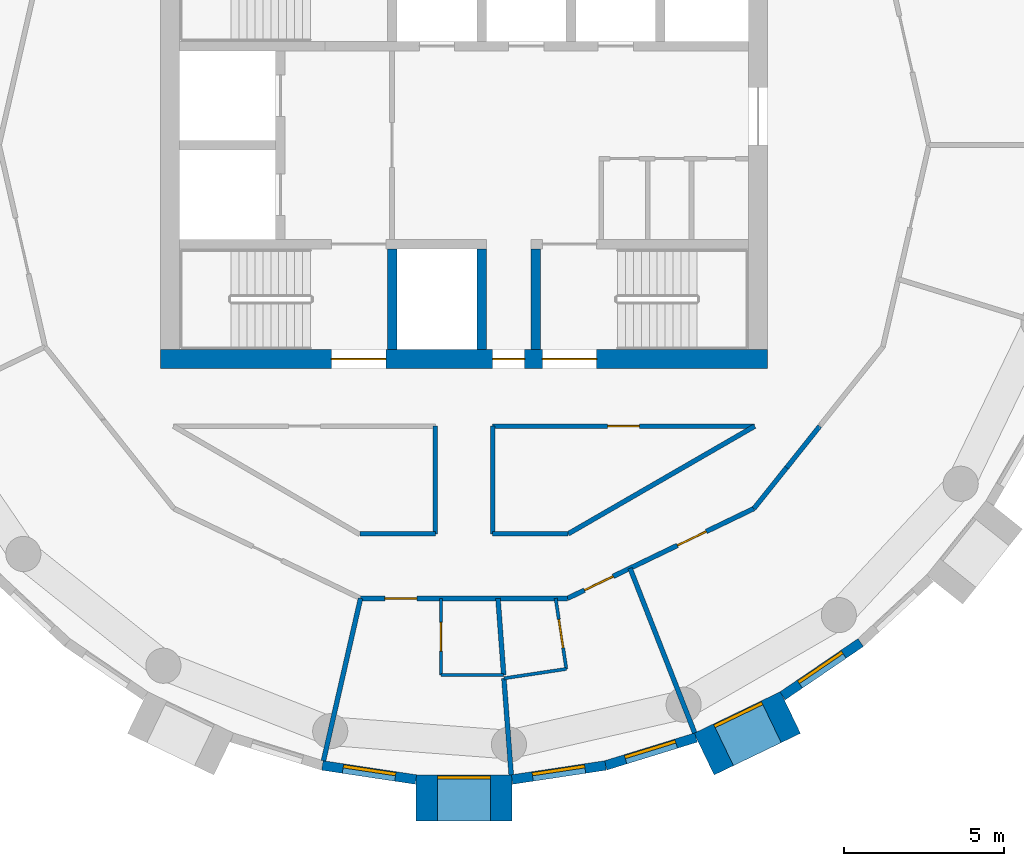
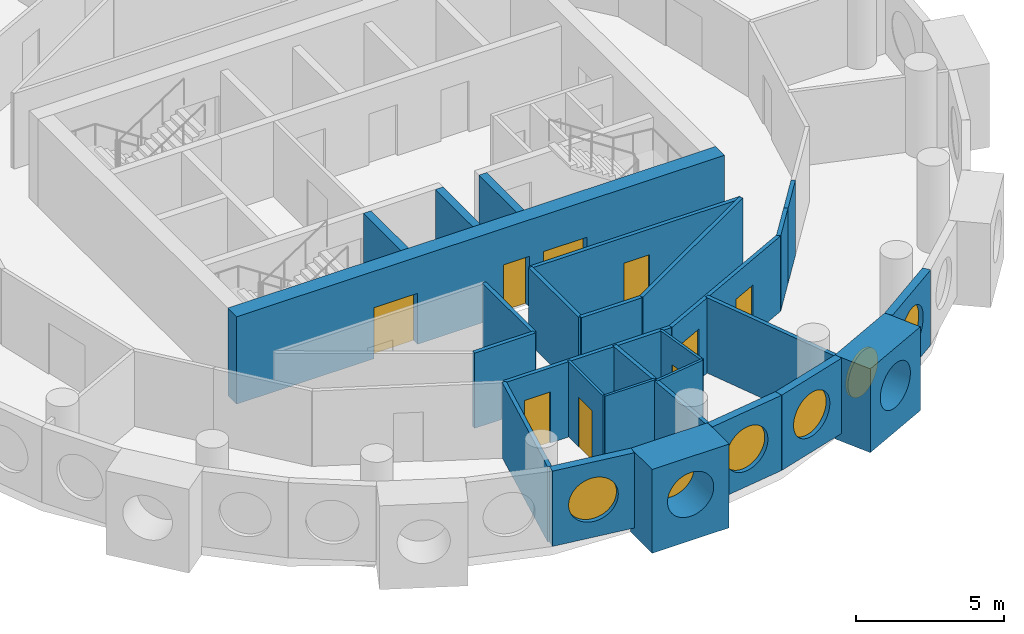
# One storey, part 4 of 13: 28 walls, 9 doors, 6 windows, 15 openings.
"""IFC4 building model written with IfcOpenShell, lengths in metres."""

from ifc_helpers import new_model, si_unit, direction, frame, frame_2d, origin, origin_2d, place, context, subcontext, project, spatial, rectangle, circle, extrude, material, layer, layer_set, type_object, element, fill, save


model = new_model("IFC4")

# Units and contexts
model_context = context("Model", 3, precision=1e-05, world=origin(), true_north=direction((0.0, 1.0)))
body_context = subcontext(model_context, "Body", "Model", "MODEL_VIEW")
ifc_project = project(units=[si_unit("LENGTHUNIT", "METRE"), si_unit("AREAUNIT", "SQUARE_METRE"), si_unit("VOLUMEUNIT", "CUBIC_METRE"), si_unit("PLANEANGLEUNIT", "RADIAN"), si_unit("MASSUNIT", "GRAM", prefix="KILO")], contexts=[model_context])

# Site, building, storey
site_placement = place(None, origin())
site = spatial("IfcSite", under=ifc_project, at=site_placement, CompositionType="ELEMENT")
building_placement = place(site_placement, origin())
building = spatial("IfcBuilding", under=site, at=building_placement, Name="Tracery Tower", CompositionType="ELEMENT")
storey_placement = place(building_placement, frame((0.0, 0.0, 274.199951171875)))
storey = spatial("IfcBuildingStorey", under=building, at=storey_placement, Name="L71", CompositionType="ELEMENT", Elevation=274.199951171875)

# Wall, openings, doors
ifc_material_1 = material(Name="Concrete C40/50", Category="concrete")
ifc_layer_1 = layer(ifc_material_1, 0.60009765625)
ifc_layer_set_1 = layer_set([ifc_layer_1], Name="Core wall 600 C40")
wall_type_1 = type_object("IfcWallType", Name="Core wall 600 C40", PredefinedType="SOLIDWALL", material=ifc_layer_set_1)
wall_1_placement = place(storey_placement, frame((-9.5, -6.699951171875, 0.0), z_axis=(0.0, 0.0, 1.0), x_axis=(1.0, 0.0, 0.0)))
wall_1 = element("IfcWall", 1, at=wall_1_placement, inside=storey, type_object=wall_type_1, Name="L71 outer S", PredefinedType="SOLIDWALL", context=body_context, shape_type="SweptSolid", body=[
    extrude(rectangle(XDim=19.0, YDim=0.60009765625, at=frame_2d((9.5, 0.0))), origin(), (0.0, 0.0, 1.0), 3.60009765625),
])
opening_1_placement = place(wall_1_placement, frame((10.39990234375, 0.0, 0.0)))
opening_1 = element("IfcOpeningElement", 2, at=opening_1_placement, cuts=wall_1, Name="Opening KD16", PredefinedType="OPENING", context=body_context, shape_type="SweptSolid", body=[
    extrude(rectangle(XDim=1.0, YDim=2.10009765625, at=frame_2d((0.5, 1.050048828125))), frame((0.0, 0.300048828125, 0.0), z_axis=(0.0, -1.0, 0.0), x_axis=(1.0, 0.0, 0.0)), (0.0, 0.0, 1.0), 0.60009765625),
])
opening_2_placement = place(wall_1_placement, frame((5.35009765625, 0.0, 0.0)))
opening_2 = element("IfcOpeningElement", 3, at=opening_2_placement, cuts=wall_1, Name="Opening KD3", PredefinedType="OPENING", context=body_context, shape_type="SweptSolid", body=[
    extrude(rectangle(XDim=1.699951171875, YDim=2.10009765625, at=frame_2d((0.85009765625, 1.050048828125))), frame((0.0, 0.300048828125, 0.0), z_axis=(0.0, -1.0, 0.0), x_axis=(1.0, 0.0, 0.0)), (0.0, 0.0, 1.0), 0.60009765625),
])
opening_3_placement = place(wall_1_placement, frame((11.949951171875, 0.0, 0.0)))
opening_3 = element("IfcOpeningElement", 4, at=opening_3_placement, cuts=wall_1, Name="Opening KD3", PredefinedType="OPENING", context=body_context, shape_type="SweptSolid", body=[
    extrude(rectangle(XDim=1.699951171875, YDim=2.10009765625, at=frame_2d((0.85009765625, 1.050048828125))), frame((0.0, 0.300048828125, 0.0), z_axis=(0.0, -1.0, 0.0), x_axis=(1.0, 0.0, 0.0)), (0.0, 0.0, 1.0), 0.60009765625),
])
ifc_material_2 = material(Name="Steel fire door", Category="steel")
door_type_1 = type_object("IfcDoorType", Name="Core exit door 1000", OperationType="NOTDEFINED", PredefinedType="DOOR", material=ifc_material_2)
door_1_placement = place(opening_1_placement, origin())
door_1 = element("IfcDoor", 5, at=door_1_placement, inside=storey, type_object=door_type_1, Name="Core exit door", OperationType="SINGLE_SWING_LEFT", OverallHeight=2.10009765625, OverallWidth=1.0, PredefinedType="DOOR", context=body_context, shape_type="SweptSolid", body=[
    extrude(rectangle(XDim=1.0, YDim=2.10009765625, at=frame_2d((0.5, 1.050048828125))), frame((0.0, 0.02490234375, 0.0), z_axis=(0.0, -1.0, 0.0), x_axis=(1.0, 0.0, 0.0)), (0.0, 0.0, 1.0), 0.050048828125),
])
fill(opening_1, door_1)
ifc_material_3 = material(Name="Steel fire door", Category="steel")
door_type_2 = type_object("IfcDoorType", Name="Core stair door 1700 double", OperationType="NOTDEFINED", PredefinedType="DOOR", material=ifc_material_3)
door_2_placement = place(opening_2_placement, origin())
door_2 = element("IfcDoor", 6, at=door_2_placement, inside=storey, type_object=door_type_2, Name="Stair door ST1 exit", OperationType="DOUBLE_DOOR_SINGLE_SWING", OverallHeight=2.10009765625, OverallWidth=1.699951171875, PredefinedType="DOOR", context=body_context, shape_type="SweptSolid", body=[
    extrude(rectangle(XDim=1.699951171875, YDim=2.10009765625, at=frame_2d((0.85009765625, 1.050048828125))), frame((0.0, 0.02490234375, 0.0), z_axis=(0.0, -1.0, 0.0), x_axis=(1.0, 0.0, 0.0)), (0.0, 0.0, 1.0), 0.050048828125),
])
fill(opening_2, door_2)
door_3_placement = place(opening_3_placement, origin())
door_3 = element("IfcDoor", 7, at=door_3_placement, inside=storey, type_object=door_type_2, Name="Stair door ST2 exit", OperationType="DOUBLE_DOOR_SINGLE_SWING", OverallHeight=2.10009765625, OverallWidth=1.699951171875, PredefinedType="DOOR", context=body_context, shape_type="SweptSolid", body=[
    extrude(rectangle(XDim=1.699951171875, YDim=2.10009765625, at=frame_2d((0.85009765625, 1.050048828125))), frame((0.0, 0.02490234375, 0.0), z_axis=(0.0, -1.0, 0.0), x_axis=(1.0, 0.0, 0.0)), (0.0, 0.0, 1.0), 0.050048828125),
])
fill(opening_3, door_3)

# Wall, opening, window
ifc_material_4 = material(Name="Precast concrete C50/60", Category="concrete")
ifc_layer_2 = layer(ifc_material_4, 1.449951171875)
ifc_layer_set_2 = layer_set([ifc_layer_2], Name="Deep-set bay unit 3000 x 3450, slab edge 350")
wall_type_2 = type_object("IfcWallType", Name="Deep-set bay unit 3000 x 3450, slab edge 350", PredefinedType="ELEMENTEDWALL", material=ifc_layer_set_2)
wall_2_placement = place(storey_placement, frame((-1.5, -20.441162109375, -0.349853515625), z_axis=(0.0, 0.0, 1.0), x_axis=(1.0, 0.0, 0.0)))
wall_2 = element("IfcWall", 8, at=wall_2_placement, inside=storey, type_object=wall_type_2, Name="Deep-set bay unit 32 at L71", PredefinedType="ELEMENTEDWALL", context=body_context, shape_type="SweptSolid", body=[
    extrude(rectangle(XDim=3.0, YDim=1.449951171875, at=frame_2d((1.5, 0.0))), origin(), (0.0, 0.0, 1.0), 3.449951171875),
])
opening_4_placement = place(wall_2_placement, frame((1.5, 0.0, 1.89990234375)))
opening_4 = element("IfcOpeningElement", 9, at=opening_4_placement, cuts=wall_2, Name="Opening WN1", PredefinedType="OPENING", context=body_context, shape_type="SweptSolid", body=[
    extrude(circle(Radius=0.9000244140625, at=origin_2d()), frame((0.0, 0.73486328125, 0.0), z_axis=(0.0, -1.0, 0.0), x_axis=(1.0, 0.0, 0.0)), (0.0, 0.0, 1.0), 1.469970703125),
])
ifc_material_5 = material(Name="Aluminium frame with tinted double glazing", Category="aluminium")
window_type = type_object("IfcWindowType", Name="Round window 1800", PartitioningType="SINGLE_PANEL", PredefinedType="WINDOW", material=ifc_material_5)
window_1_placement = place(opening_4_placement, origin())
window_1 = element("IfcWindow", 10, at=window_1_placement, inside=storey, type_object=window_type, Name="Round window 32 at L71", OverallHeight=1.800048828125, OverallWidth=1.800048828125, PartitioningType="SINGLE_PANEL", PredefinedType="WINDOW", context=body_context, shape_type="SweptSolid", body=[
    extrude(circle(Radius=0.9000244140625, at=origin_2d()), frame((0.0, 0.69482421875, 0.0), z_axis=(0.0, -1.0, 0.0), x_axis=(1.0, 0.0, 0.0)), (0.0, 0.0, 1.0), 0.10009765625),
])
fill(opening_4, window_1)

wall_3_placement = place(storey_placement, frame((7.517578125, -19.067626953125, -0.349853515625), z_axis=(0.0, 0.0, 1.0), x_axis=(0.900953362039, 0.433915935904, 0.0)))
wall_3 = element("IfcWall", 11, at=wall_3_placement, inside=storey, type_object=wall_type_2, Name="Deep-set bay unit 35 at L71", PredefinedType="ELEMENTEDWALL", context=body_context, shape_type="SweptSolid", body=[
    extrude(rectangle(XDim=3.0, YDim=1.449951171875, at=frame_2d((1.5, 0.0))), origin(), (0.0, 0.0, 1.0), 3.449951171875),
])
opening_5_placement = place(wall_3_placement, frame((1.5, 0.0, 1.89990234375)))
opening_5 = element("IfcOpeningElement", 12, at=opening_5_placement, cuts=wall_3, Name="Opening WN1", PredefinedType="OPENING", context=body_context, shape_type="SweptSolid", body=[
    extrude(circle(Radius=0.9000244140625, at=origin_2d()), frame((0.0, 0.73486328125, 0.0), z_axis=(0.0, -1.0, 0.0), x_axis=(1.0, 0.0, 0.0)), (0.0, 0.0, 1.0), 1.469970703125),
])
window_2_placement = place(opening_5_placement, origin())
window_2 = element("IfcWindow", 13, at=window_2_placement, inside=storey, type_object=window_type, Name="Round window 35 at L71", OverallHeight=1.800048828125, OverallWidth=1.800048828125, PartitioningType="SINGLE_PANEL", PredefinedType="WINDOW", context=body_context, shape_type="SweptSolid", body=[
    extrude(circle(Radius=0.9000244140625, at=origin_2d()), frame((0.0, 0.69482421875, 0.0), z_axis=(0.0, -1.0, 0.0), x_axis=(1.0, 0.0, 0.0)), (0.0, 0.0, 1.0), 0.10009765625),
])
fill(opening_5, window_2)

ifc_material_6 = material(Name="Precast concrete C50/60", Category="concrete")
ifc_layer_3 = layer(ifc_material_6, 0.300048828125)
ifc_layer_set_3 = layer_set([ifc_layer_3], Name="Facade panel 3000 x 3100")
wall_type_3 = type_object("IfcWallType", Name="Facade panel 3000 x 3100", PredefinedType="SOLIDWALL", material=ifc_layer_set_3)
wall_4_placement = place(storey_placement, frame((-4.43310546875, -19.42236328125, 0.0), z_axis=(0.0, 0.0, 1.0), x_axis=(0.988835775663, -0.149009425104, 0.0)))
wall_4 = element("IfcWall", 14, at=wall_4_placement, inside=storey, type_object=wall_type_3, Name="Facade panel 31 at L71", PredefinedType="SOLIDWALL", context=body_context, shape_type="SweptSolid", body=[
    extrude(rectangle(XDim=2.962158203125, YDim=0.300048828125, at=frame_2d((1.48095703125, 0.0))), origin(), (0.0, 0.0, 1.0), 3.10009765625),
])
opening_6_placement = place(wall_4_placement, frame((1.48095703125, 0.0, 1.5498046875)))
opening_6 = element("IfcOpeningElement", 15, at=opening_6_placement, cuts=wall_4, Name="Opening WN1", PredefinedType="OPENING", context=body_context, shape_type="SweptSolid", body=[
    extrude(circle(Radius=0.9000244140625, at=origin_2d()), frame((0.0, 0.159912109375, 0.0), z_axis=(0.0, -1.0, 0.0), x_axis=(1.0, 0.0, 0.0)), (0.0, 0.0, 1.0), 0.320068359375),
])
window_3_placement = place(opening_6_placement, origin())
window_3 = element("IfcWindow", 16, at=window_3_placement, inside=storey, type_object=window_type, Name="Round window 31 at L71", OverallHeight=1.800048828125, OverallWidth=1.800048828125, PartitioningType="SINGLE_PANEL", PredefinedType="WINDOW", context=body_context, shape_type="SweptSolid", body=[
    extrude(circle(Radius=0.9000244140625, at=origin_2d()), frame((0.0, 0.1201171875, 0.0), z_axis=(0.0, -1.0, 0.0), x_axis=(1.0, 0.0, 0.0)), (0.0, 0.0, 1.0), 0.10009765625),
])
fill(opening_6, window_3)

wall_5_placement = place(storey_placement, frame((1.50390625, -19.86376953125, 0.0), z_axis=(0.0, 0.0, 1.0), x_axis=(0.988835775663, 0.149009425104, 0.0)))
wall_5 = element("IfcWall", 17, at=wall_5_placement, inside=storey, type_object=wall_type_3, Name="Facade panel 33 at L71", PredefinedType="SOLIDWALL", context=body_context, shape_type="SweptSolid", body=[
    extrude(rectangle(XDim=2.962158203125, YDim=0.300048828125, at=frame_2d((1.48095703125, 0.0))), origin(), (0.0, 0.0, 1.0), 3.10009765625),
])
opening_7_placement = place(wall_5_placement, frame((1.48095703125, 0.0, 1.5498046875)))
opening_7 = element("IfcOpeningElement", 18, at=opening_7_placement, cuts=wall_5, Name="Opening WN1", PredefinedType="OPENING", context=body_context, shape_type="SweptSolid", body=[
    extrude(circle(Radius=0.9000244140625, at=origin_2d()), frame((0.0, 0.159912109375, 0.0), z_axis=(0.0, -1.0, 0.0), x_axis=(1.0, 0.0, 0.0)), (0.0, 0.0, 1.0), 0.320068359375),
])
window_4_placement = place(opening_7_placement, origin())
window_4 = element("IfcWindow", 19, at=window_4_placement, inside=storey, type_object=window_type, Name="Round window 33 at L71", OverallHeight=1.800048828125, OverallWidth=1.800048828125, PartitioningType="SINGLE_PANEL", PredefinedType="WINDOW", context=body_context, shape_type="SweptSolid", body=[
    extrude(circle(Radius=0.9000244140625, at=origin_2d()), frame((0.0, 0.1201171875, 0.0), z_axis=(0.0, -1.0, 0.0), x_axis=(1.0, 0.0, 0.0)), (0.0, 0.0, 1.0), 0.10009765625),
])
fill(opening_7, window_4)

wall_6_placement = place(storey_placement, frame((4.43310546875, -19.42236328125, 0.0), z_axis=(0.0, 0.0, 1.0), x_axis=(0.955555982805, 0.29480970765, 0.0)))
wall_6 = element("IfcWall", 20, at=wall_6_placement, inside=storey, type_object=wall_type_3, Name="Facade panel 34 at L71", PredefinedType="SOLIDWALL", context=body_context, shape_type="SweptSolid", body=[
    extrude(rectangle(XDim=2.962158203125, YDim=0.300048828125, at=frame_2d((1.48095703125, 0.0))), origin(), (0.0, 0.0, 1.0), 3.10009765625),
])
opening_8_placement = place(wall_6_placement, frame((1.48095703125, 0.0, 1.5498046875)))
opening_8 = element("IfcOpeningElement", 21, at=opening_8_placement, cuts=wall_6, Name="Opening WN1", PredefinedType="OPENING", context=body_context, shape_type="SweptSolid", body=[
    extrude(circle(Radius=0.9000244140625, at=origin_2d()), frame((0.0, 0.159912109375, 0.0), z_axis=(0.0, -1.0, 0.0), x_axis=(1.0, 0.0, 0.0)), (0.0, 0.0, 1.0), 0.320068359375),
])
window_5_placement = place(opening_8_placement, origin())
window_5 = element("IfcWindow", 22, at=window_5_placement, inside=storey, type_object=window_type, Name="Round window 34 at L71", OverallHeight=1.800048828125, OverallWidth=1.800048828125, PartitioningType="SINGLE_PANEL", PredefinedType="WINDOW", context=body_context, shape_type="SweptSolid", body=[
    extrude(circle(Radius=0.9000244140625, at=origin_2d()), frame((0.0, 0.1201171875, 0.0), z_axis=(0.0, -1.0, 0.0), x_axis=(1.0, 0.0, 0.0)), (0.0, 0.0, 1.0), 0.10009765625),
])
fill(opening_8, window_5)

wall_7_placement = place(storey_placement, frame((9.9736328125, -17.244140625, 0.0), z_axis=(0.0, 0.0, 1.0), x_axis=(0.826236061068, 0.563324037646, 0.0)))
wall_7 = element("IfcWall", 23, at=wall_7_placement, inside=storey, type_object=wall_type_3, Name="Facade panel 36 at L71", PredefinedType="SOLIDWALL", context=body_context, shape_type="SweptSolid", body=[
    extrude(rectangle(XDim=2.962158203125, YDim=0.300048828125, at=frame_2d((1.48095703125, 0.0))), origin(), (0.0, 0.0, 1.0), 3.10009765625),
])
opening_9_placement = place(wall_7_placement, frame((1.48095703125, 0.0, 1.5498046875)))
opening_9 = element("IfcOpeningElement", 24, at=opening_9_placement, cuts=wall_7, Name="Opening WN1", PredefinedType="OPENING", context=body_context, shape_type="SweptSolid", body=[
    extrude(circle(Radius=0.9000244140625, at=origin_2d()), frame((0.0, 0.159912109375, 0.0), z_axis=(0.0, -1.0, 0.0), x_axis=(1.0, 0.0, 0.0)), (0.0, 0.0, 1.0), 0.320068359375),
])
window_6_placement = place(opening_9_placement, origin())
window_6 = element("IfcWindow", 25, at=window_6_placement, inside=storey, type_object=window_type, Name="Round window 36 at L71", OverallHeight=1.800048828125, OverallWidth=1.800048828125, PartitioningType="SINGLE_PANEL", PredefinedType="WINDOW", context=body_context, shape_type="SweptSolid", body=[
    extrude(circle(Radius=0.9000244140625, at=origin_2d()), frame((0.0, 0.1201171875, 0.0), z_axis=(0.0, -1.0, 0.0), x_axis=(1.0, 0.0, 0.0)), (0.0, 0.0, 1.0), 0.10009765625),
])
fill(opening_9, window_6)

# Wall, opening, door
ifc_material_7 = material(Name="Plasterboard on steel studs", Category="steel")
ifc_layer_4 = layer(ifc_material_7, 0.10009765625)
ifc_layer_set_4 = layer_set([ifc_layer_4], Name="Partition 100 wet wall")
wall_type_4 = type_object("IfcWallType", Name="Partition 100 wet wall", PredefinedType="PARTITIONING", material=ifc_layer_set_4)
wall_8_placement = place(storey_placement, frame((-0.721923828125, -16.592041015625, 0.0), z_axis=(0.0, 0.0, 1.0), x_axis=(0.0, 1.0, 0.0)))
wall_8 = element("IfcWall", 26, at=wall_8_placement, inside=storey, type_object=wall_type_4, Name="Wet wall RC5-049", PredefinedType="PARTITIONING", context=body_context, shape_type="SweptSolid", body=[
    extrude(rectangle(XDim=2.400146484375, YDim=0.10009765625, at=frame_2d((1.2001953125, 0.0))), origin(), (0.0, 0.0, 1.0), 3.10009765625),
])
opening_10_placement = place(wall_8_placement, frame((0.75, 0.0, 0.0)))
opening_10 = element("IfcOpeningElement", 27, at=opening_10_placement, cuts=wall_8, Name="Opening RC5-09", PredefinedType="OPENING", context=body_context, shape_type="SweptSolid", body=[
    extrude(rectangle(XDim=0.89990234375, YDim=2.0400390625, at=frame_2d((0.449951171875, 1.02001953125))), frame((0.0, 0.050048828125, 0.0), z_axis=(0.0, -1.0, 0.0), x_axis=(1.0, 0.0, 0.0)), (0.0, 0.0, 1.0), 0.10009765625),
])
ifc_material_8 = material(Name="Timber door leaf", Category="wood")
door_type_3 = type_object("IfcDoorType", Name="Door en-suite 900", OperationType="NOTDEFINED", PredefinedType="DOOR", material=ifc_material_8)
door_4_placement = place(opening_10_placement, origin())
door_4 = element("IfcDoor", 28, at=door_4_placement, inside=storey, type_object=door_type_3, Name="En-suite door RC5-09", OperationType="SINGLE_SWING_RIGHT", OverallHeight=2.0400390625, OverallWidth=0.89990234375, PredefinedType="DOOR", context=body_context, shape_type="SweptSolid", body=[
    extrude(rectangle(XDim=0.89990234375, YDim=2.0400390625, at=frame_2d((0.449951171875, 1.02001953125))), frame((0.0, 0.02490234375, 0.0), z_axis=(0.0, -1.0, 0.0), x_axis=(1.0, 0.0, 0.0)), (0.0, 0.0, 1.0), 0.050048828125),
])
fill(opening_10, door_4)

# Walls
wall_9_placement = place(storey_placement, frame((-0.721923828125, -16.592041015625, 0.0), z_axis=(0.0, 0.0, 1.0), x_axis=(1.0, 0.0, 0.0)))
element("IfcWall", 29, at=wall_9_placement, inside=storey, type_object=wall_type_4, Name="Wet wall RC5-050", PredefinedType="PARTITIONING", context=body_context, shape_type="SweptSolid", body=[
    extrude(rectangle(XDim=1.96484375, YDim=0.10009765625, at=frame_2d((0.982421875, 0.0))), origin(), (0.0, 0.0, 1.0), 3.10009765625),
])
wall_10_placement = place(storey_placement, frame((1.2509765625, -16.695068359375, 0.0), z_axis=(0.0, 0.0, 1.0), x_axis=(0.988831780565, 0.149035934407, 0.0)))
element("IfcWall", 30, at=wall_10_placement, inside=storey, type_object=wall_type_4, Name="Wet wall RC5-053", PredefinedType="PARTITIONING", context=body_context, shape_type="SweptSolid", body=[
    extrude(rectangle(XDim=1.973876953125, YDim=0.10009765625, at=frame_2d((0.98681640625, 0.0))), origin(), (0.0, 0.0, 1.0), 3.10009765625),
])

# Wall, opening, door
wall_11_placement = place(storey_placement, frame((2.8701171875, -14.19189453125, 0.0), z_axis=(0.0, 0.0, 1.0), x_axis=(0.148960349288, -0.988843169739, 0.0)))
wall_11 = element("IfcWall", 31, at=wall_11_placement, inside=storey, type_object=wall_type_4, Name="Wet wall RC5-054", PredefinedType="PARTITIONING", context=body_context, shape_type="SweptSolid", body=[
    extrude(rectangle(XDim=2.23388671875, YDim=0.10009765625, at=frame_2d((1.116943359375, 0.0))), origin(), (0.0, 0.0, 1.0), 3.10009765625),
])
opening_11_placement = place(wall_11_placement, frame((0.6669921875, 0.0, 0.0)))
opening_11 = element("IfcOpeningElement", 32, at=opening_11_placement, cuts=wall_11, Name="Opening RC5-11", PredefinedType="OPENING", context=body_context, shape_type="SweptSolid", body=[
    extrude(rectangle(XDim=0.89990234375, YDim=2.0400390625, at=frame_2d((0.449951171875, 1.02001953125))), frame((0.0, 0.050048828125, 0.0), z_axis=(0.0, -1.0, 0.0), x_axis=(1.0, 0.0, 0.0)), (0.0, 0.0, 1.0), 0.10009765625),
])
door_5_placement = place(opening_11_placement, origin())
door_5 = element("IfcDoor", 33, at=door_5_placement, inside=storey, type_object=door_type_3, Name="En-suite door RC5-11", OperationType="SINGLE_SWING_RIGHT", OverallHeight=2.0400390625, OverallWidth=0.89990234375, PredefinedType="DOOR", context=body_context, shape_type="SweptSolid", body=[
    extrude(rectangle(XDim=0.89990234375, YDim=2.0400390625, at=frame_2d((0.449951171875, 1.02001953125))), frame((0.0, 0.02490234375, 0.0), z_axis=(0.0, -1.0, 0.0), x_axis=(1.0, 0.0, 0.0)), (0.0, 0.0, 1.0), 0.050048828125),
])
fill(opening_11, door_5)

# Walls
ifc_material_9 = material(Name="Plasterboard on steel studs", Category="steel")
ifc_layer_5 = layer(ifc_material_9, 0.14990234375)
ifc_layer_set_5 = layer_set([ifc_layer_5], Name="Partition 150 acoustic unit wall")
wall_type_5 = type_object("IfcWallType", Name="Partition 150 acoustic unit wall", PredefinedType="PARTITIONING", material=ifc_layer_set_5)
wall_12_placement = place(storey_placement, frame((-4.39990234375, -19.27587890625, 0.0), z_axis=(0.0, 0.0, 1.0), x_axis=(0.222612505682, 0.974907007008, 0.0)))
element("IfcWall", 34, at=wall_12_placement, inside=storey, type_object=wall_type_5, Name="Unit wall RC5-048", PredefinedType="PARTITIONING", context=body_context, shape_type="SweptSolid", body=[
    extrude(rectangle(XDim=5.21484375, YDim=0.14990234375, at=frame_2d((2.607421875, 0.0))), origin(), (0.0, 0.0, 1.0), 3.10009765625),
])
wall_13_placement = place(storey_placement, frame((1.25, -16.69091796875, 0.0), z_axis=(0.0, 0.0, 1.0), x_axis=(0.075164061246, -0.99717118084, 0.0)))
element("IfcWall", 35, at=wall_13_placement, inside=storey, type_object=wall_type_5, Name="Unit wall RC5-051", PredefinedType="PARTITIONING", context=body_context, shape_type="SweptSolid", body=[
    extrude(rectangle(XDim=3.03369140625, YDim=0.14990234375, at=frame_2d((1.516845703125, 0.0))), origin(), (0.0, 0.0, 1.0), 3.10009765625),
])
wall_14_placement = place(storey_placement, frame((1.06396484375, -14.19189453125, 0.0), z_axis=(0.0, 0.0, 1.0), x_axis=(0.074353677934, -0.997231934195, 0.0)))
element("IfcWall", 36, at=wall_14_placement, inside=storey, type_object=wall_type_5, Name="Unit wall RC5-052", PredefinedType="PARTITIONING", context=body_context, shape_type="SweptSolid", body=[
    extrude(rectangle(XDim=2.40673828125, YDim=0.14990234375, at=frame_2d((1.203369140625, 0.0))), origin(), (0.0, 0.0, 1.0), 3.10009765625),
])
wall_15_placement = place(storey_placement, frame((5.198974609375, -13.248046875, 0.0), z_axis=(0.0, 0.0, 1.0), x_axis=(0.365334662456, -0.930876245485, 0.0)))
element("IfcWall", 37, at=wall_15_placement, inside=storey, type_object=wall_type_5, Name="Unit wall RC5-055", PredefinedType="PARTITIONING", context=body_context, shape_type="SweptSolid", body=[
    extrude(rectangle(XDim=5.5400390625, YDim=0.14990234375, at=frame_2d((2.77001953125, 0.0))), origin(), (0.0, 0.0, 1.0), 3.10009765625),
])

# Wall, opening, door
ifc_material_10 = material(Name="Plasterboard on steel studs", Category="steel")
ifc_layer_6 = layer(ifc_material_10, 0.14990234375)
ifc_layer_set_6 = layer_set([ifc_layer_6], Name="Partition 150 corridor wall")
wall_type_6 = type_object("IfcWallType", Name="Partition 150 corridor wall", PredefinedType="PARTITIONING", material=ifc_layer_set_6)
wall_16_placement = place(storey_placement, frame((0.89599609375, -8.800048828125, 0.0), z_axis=(0.0, 0.0, 1.0), x_axis=(1.0, 0.0, 0.0)))
wall_16 = element("IfcWall", 38, at=wall_16_placement, inside=storey, type_object=wall_type_6, Name="Corridor wall RC5-013", PredefinedType="PARTITIONING", context=body_context, shape_type="SweptSolid", body=[
    extrude(rectangle(XDim=8.20458984375, YDim=0.14990234375, at=frame_2d((4.102294921875, 0.0))), origin(), (0.0, 0.0, 1.0), 3.10009765625),
])
opening_12_placement = place(wall_16_placement, frame((3.597900390625, 0.0, 0.0)))
opening_12 = element("IfcOpeningElement", 39, at=opening_12_placement, cuts=wall_16, Name="Opening RC5-03", PredefinedType="OPENING", context=body_context, shape_type="SweptSolid", body=[
    extrude(rectangle(XDim=1.0, YDim=2.0400390625, at=frame_2d((0.5, 1.02001953125))), frame((0.0, 0.074951171875, 0.0), z_axis=(0.0, -1.0, 0.0), x_axis=(1.0, 0.0, 0.0)), (0.0, 0.0, 1.0), 0.14990234375),
])
ifc_material_11 = material(Name="Timber door leaf", Category="wood")
door_type_4 = type_object("IfcDoorType", Name="Door communal room 1000", OperationType="NOTDEFINED", PredefinedType="DOOR", material=ifc_material_11)
door_6_placement = place(opening_12_placement, origin())
door_6 = element("IfcDoor", 40, at=door_6_placement, inside=storey, type_object=door_type_4, Name="Communal room door RC5-03", OperationType="SINGLE_SWING_RIGHT", OverallHeight=2.0400390625, OverallWidth=1.0, PredefinedType="DOOR", context=body_context, shape_type="SweptSolid", body=[
    extrude(rectangle(XDim=1.0, YDim=2.0400390625, at=frame_2d((0.5, 1.02001953125))), frame((0.0, 0.02490234375, 0.0), z_axis=(0.0, -1.0, 0.0), x_axis=(1.0, 0.0, 0.0)), (0.0, 0.0, 1.0), 0.050048828125),
])
fill(opening_12, door_6)

# Walls
wall_17_placement = place(storey_placement, frame((10.10107421875, -10.10107421875, 0.0), z_axis=(0.0, 0.0, 1.0), x_axis=(0.623098344652, 0.782143498913, 0.0)))
element("IfcWall", 41, at=wall_17_placement, inside=storey, type_object=wall_type_6, Name="Corridor wall RC5-019", PredefinedType="PARTITIONING", context=body_context, shape_type="SweptSolid", body=[
    extrude(rectangle(XDim=1.660888671875, YDim=0.14990234375, at=frame_2d((0.83056640625, 0.0))), origin(), (0.0, 0.0, 1.0), 3.10009765625),
])
wall_18_placement = place(storey_placement, frame((-3.260986328125, -12.1708984375, 0.0), z_axis=(0.0, 0.0, 1.0), x_axis=(1.0, 0.0, 0.0)))
element("IfcWall", 42, at=wall_18_placement, inside=storey, type_object=wall_type_6, Name="Corridor wall RC5-034", PredefinedType="PARTITIONING", context=body_context, shape_type="SweptSolid", body=[
    extrude(rectangle(XDim=2.361083984375, YDim=0.14990234375, at=frame_2d((1.1806640625, 0.0))), origin(), (0.0, 0.0, 1.0), 3.10009765625),
])
for number, where, z_axis, x_axis, name in (
    (43, (-0.89990234375, -12.1708984375, 0.0), (0.0, 0.0, 1.0), (0.0, 1.0, 0.0), "Corridor wall RC5-035"),
    (44, (0.89990234375, -12.1708984375, 0.0), (0.0, 0.0, 1.0), (0.0, 1.0, 0.0), "Corridor wall RC5-036"),
):
    element("IfcWall", number, at=place(storey_placement, frame(where, z_axis=z_axis, x_axis=x_axis)), inside=storey, type_object=wall_type_6, Name=name, PredefinedType="PARTITIONING", context=body_context, shape_type="SweptSolid", body=[
        extrude(rectangle(XDim=3.370849609375, YDim=0.14990234375, at=frame_2d((1.685546875, 0.0))), origin(), (0.0, 0.0, 1.0), 3.10009765625),
    ])
wall_19_placement = place(storey_placement, frame((0.89990234375, -12.1708984375, 0.0), z_axis=(0.0, 0.0, 1.0), x_axis=(1.0, 0.0, 0.0)))
element("IfcWall", 45, at=wall_19_placement, inside=storey, type_object=wall_type_6, Name="Corridor wall RC5-037", PredefinedType="PARTITIONING", context=body_context, shape_type="SweptSolid", body=[
    extrude(rectangle(XDim=2.361083984375, YDim=0.14990234375, at=frame_2d((1.1806640625, 0.0))), origin(), (0.0, 0.0, 1.0), 3.10009765625),
])
wall_20_placement = place(storey_placement, frame((3.260986328125, -12.1708984375, 0.0), z_axis=(0.0, 0.0, 1.0), x_axis=(0.866066809554, 0.499928276245, 0.0)))
element("IfcWall", 46, at=wall_20_placement, inside=storey, type_object=wall_type_6, Name="Corridor wall RC5-038", PredefinedType="PARTITIONING", context=body_context, shape_type="SweptSolid", body=[
    extrude(rectangle(XDim=6.74267578125, YDim=0.14990234375, at=frame_2d((3.371337890625, 0.0))), origin(), (0.0, 0.0, 1.0), 3.10009765625),
])

# Wall, opening, door
wall_21_placement = place(storey_placement, frame((-3.239013671875, -14.19189453125, 0.0), z_axis=(0.0, 0.0, 1.0), x_axis=(1.0, 0.0, 0.0)))
wall_21 = element("IfcWall", 47, at=wall_21_placement, inside=storey, type_object=wall_type_6, Name="Corridor wall RC5-040", PredefinedType="PARTITIONING", context=body_context, shape_type="SweptSolid", body=[
    extrude(rectangle(XDim=6.47802734375, YDim=0.14990234375, at=frame_2d((3.239013671875, 0.0))), origin(), (0.0, 0.0, 1.0), 3.10009765625),
])
opening_13_placement = place(wall_21_placement, frame((0.760986328125, 0.0, 0.0)))
opening_13 = element("IfcOpeningElement", 48, at=opening_13_placement, cuts=wall_21, Name="Opening RC5-10", PredefinedType="OPENING", context=body_context, shape_type="SweptSolid", body=[
    extrude(rectangle(XDim=1.0, YDim=2.10009765625, at=frame_2d((0.5, 1.050048828125))), frame((0.0, 0.074951171875, 0.0), z_axis=(0.0, -1.0, 0.0), x_axis=(1.0, 0.0, 0.0)), (0.0, 0.0, 1.0), 0.14990234375),
])
ifc_material_12 = material(Name="Timber door leaf", Category="wood")
door_type_5 = type_object("IfcDoorType", Name="Door unit entrance 1000", OperationType="NOTDEFINED", PredefinedType="DOOR", material=ifc_material_12)
door_7_placement = place(opening_13_placement, origin())
door_7 = element("IfcDoor", 49, at=door_7_placement, inside=storey, type_object=door_type_5, Name="Unit entrance door RC5-10", OperationType="SINGLE_SWING_LEFT", OverallHeight=2.10009765625, OverallWidth=1.0, PredefinedType="DOOR", context=body_context, shape_type="SweptSolid", body=[
    extrude(rectangle(XDim=1.0, YDim=2.10009765625, at=frame_2d((0.5, 1.050048828125))), frame((0.0, 0.02490234375, 0.0), z_axis=(0.0, -1.0, 0.0), x_axis=(1.0, 0.0, 0.0)), (0.0, 0.0, 1.0), 0.050048828125),
])
fill(opening_13, door_7)

# Wall, openings, doors
wall_22_placement = place(storey_placement, frame((3.239013671875, -14.19189453125, 0.0), z_axis=(0.0, 0.0, 1.0), x_axis=(0.900851590682, 0.434127183629, 0.0)))
wall_22 = element("IfcWall", 50, at=wall_22_placement, inside=storey, type_object=wall_type_6, Name="Corridor wall RC5-041", PredefinedType="PARTITIONING", context=body_context, shape_type="SweptSolid", body=[
    extrude(rectangle(XDim=6.478515625, YDim=0.14990234375, at=frame_2d((3.2392578125, 0.0))), origin(), (0.0, 0.0, 1.0), 3.10009765625),
])
opening_14_placement = place(wall_22_placement, frame((0.589111328125, 0.0, 0.0)))
opening_14 = element("IfcOpeningElement", 51, at=opening_14_placement, cuts=wall_22, Name="Opening RC5-12", PredefinedType="OPENING", context=body_context, shape_type="SweptSolid", body=[
    extrude(rectangle(XDim=1.0, YDim=2.10009765625, at=frame_2d((0.5, 1.050048828125))), frame((0.0, 0.074951171875, 0.0), z_axis=(0.0, -1.0, 0.0), x_axis=(1.0, 0.0, 0.0)), (0.0, 0.0, 1.0), 0.14990234375),
])
opening_15_placement = place(wall_22_placement, frame((3.82470703125, 0.0, 0.0)))
opening_15 = element("IfcOpeningElement", 52, at=opening_15_placement, cuts=wall_22, Name="Opening RC5-13", PredefinedType="OPENING", context=body_context, shape_type="SweptSolid", body=[
    extrude(rectangle(XDim=1.0, YDim=2.0400390625, at=frame_2d((0.5, 1.02001953125))), frame((0.0, 0.074951171875, 0.0), z_axis=(0.0, -1.0, 0.0), x_axis=(1.0, 0.0, 0.0)), (0.0, 0.0, 1.0), 0.14990234375),
])
door_8_placement = place(opening_15_placement, origin())
door_8 = element("IfcDoor", 53, at=door_8_placement, inside=storey, type_object=door_type_4, Name="Communal room door RC5-13", OperationType="SINGLE_SWING_RIGHT", OverallHeight=2.0400390625, OverallWidth=1.0, PredefinedType="DOOR", context=body_context, shape_type="SweptSolid", body=[
    extrude(rectangle(XDim=1.0, YDim=2.0400390625, at=frame_2d((0.5, 1.02001953125))), frame((0.0, 0.02490234375, 0.0), z_axis=(0.0, -1.0, 0.0), x_axis=(1.0, 0.0, 0.0)), (0.0, 0.0, 1.0), 0.050048828125),
])
fill(opening_15, door_8)
door_9_placement = place(opening_14_placement, origin())
door_9 = element("IfcDoor", 54, at=door_9_placement, inside=storey, type_object=door_type_5, Name="Unit entrance door RC5-12", OperationType="SINGLE_SWING_RIGHT", OverallHeight=2.10009765625, OverallWidth=1.0, PredefinedType="DOOR", context=body_context, shape_type="SweptSolid", body=[
    extrude(rectangle(XDim=1.0, YDim=2.10009765625, at=frame_2d((0.5, 1.050048828125))), frame((0.0, 0.02490234375, 0.0), z_axis=(0.0, -1.0, 0.0), x_axis=(1.0, 0.0, 0.0)), (0.0, 0.0, 1.0), 0.050048828125),
])
fill(opening_14, door_9)

# Walls
wall_23_placement = place(storey_placement, frame((9.075927734375, -11.381103515625, 0.0), z_axis=(0.0, 0.0, 1.0), x_axis=(0.623805208652, 0.781579849829, 0.0)))
element("IfcWall", 55, at=wall_23_placement, inside=storey, type_object=wall_type_6, Name="Corridor wall RC5-042", PredefinedType="PARTITIONING", context=body_context, shape_type="SweptSolid", body=[
    extrude(rectangle(XDim=1.64013671875, YDim=0.14990234375, at=frame_2d((0.820068359375, 0.0))), origin(), (0.0, 0.0, 1.0), 3.10009765625),
])
ifc_material_13 = material(Name="Concrete C40/50", Category="concrete")
ifc_layer_7 = layer(ifc_material_13, 0.300048828125)
ifc_layer_set_7 = layer_set([ifc_layer_7], Name="Shaft wall 300 C40")
wall_type_7 = type_object("IfcWallType", Name="Shaft wall 300 C40", PredefinedType="SOLIDWALL", material=ifc_layer_set_7)
wall_24_placement = place(storey_placement, frame((0.550048828125, -6.39990234375, 0.0), z_axis=(0.0, 0.0, 1.0), x_axis=(0.0, 1.0, 0.0)))
element("IfcWall", 56, at=wall_24_placement, inside=storey, type_object=wall_type_7, Name="L71 OB2 E", PredefinedType="SOLIDWALL", context=body_context, shape_type="SweptSolid", body=[
    extrude(rectangle(XDim=3.14990234375, YDim=0.300048828125, at=frame_2d((1.574951171875, 0.0))), origin(), (0.0, 0.0, 1.0), 3.10009765625),
])
ifc_material_14 = material(Name="Concrete C40/50", Category="concrete")
ifc_layer_8 = layer(ifc_material_14, 0.300048828125)
ifc_layer_set_8 = layer_set([ifc_layer_8], Name="Stair wall 300 C40")
wall_type_8 = type_object("IfcWallType", Name="Stair wall 300 C40", PredefinedType="SOLIDWALL", material=ifc_layer_set_8)
for number, where, z_axis, x_axis, name in (
    (57, (-2.25, -6.39990234375, 0.0), (0.0, 0.0, 1.0), (0.0, 1.0, 0.0), "L71 ST1 E"),
    (58, (2.25, -6.39990234375, 0.0), (0.0, 0.0, 1.0), (0.0, 1.0, 0.0), "L71 ST2 W"),
):
    element("IfcWall", number, at=place(storey_placement, frame(where, z_axis=z_axis, x_axis=x_axis)), inside=storey, type_object=wall_type_8, Name=name, PredefinedType="SOLIDWALL", context=body_context, shape_type="SweptSolid", body=[
        extrude(rectangle(XDim=3.14990234375, YDim=0.300048828125, at=frame_2d((1.574951171875, 0.0))), origin(), (0.0, 0.0, 1.0), 3.10009765625),
    ])

save(model, "model.ifc")
